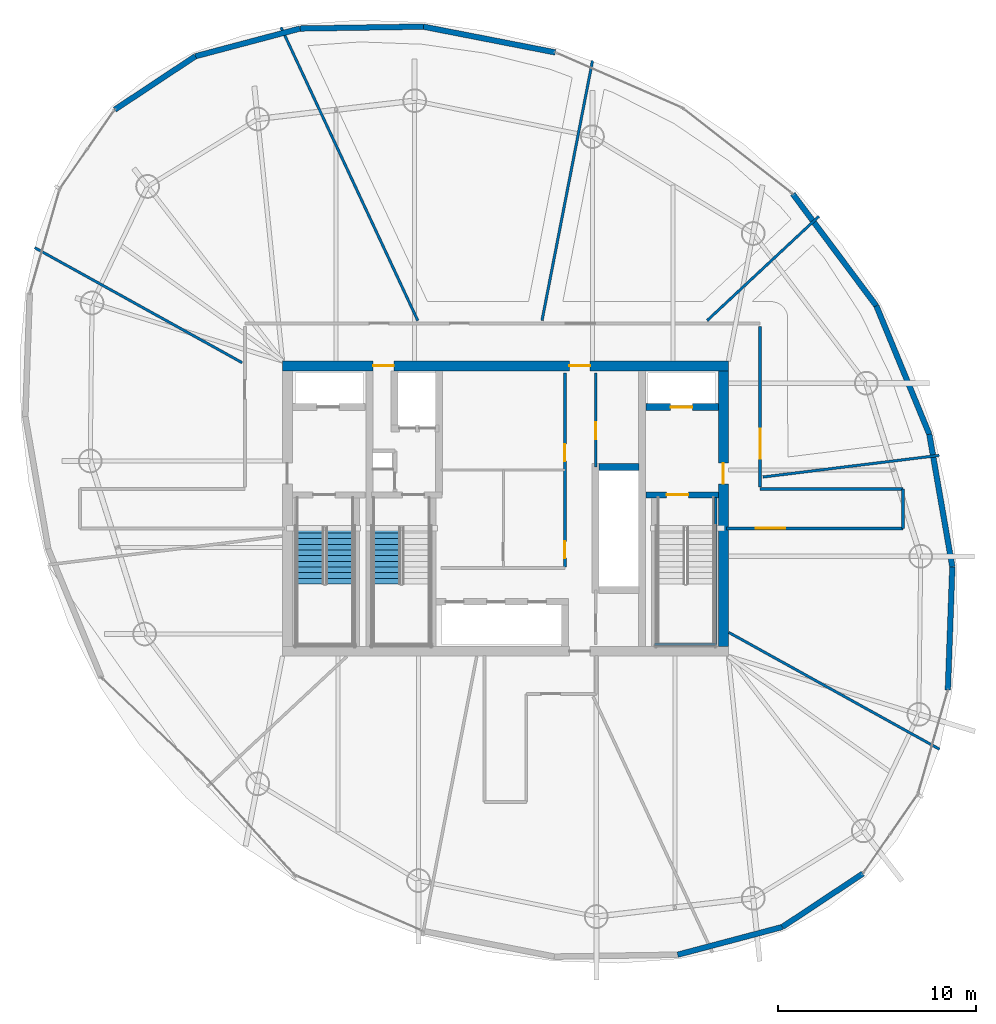
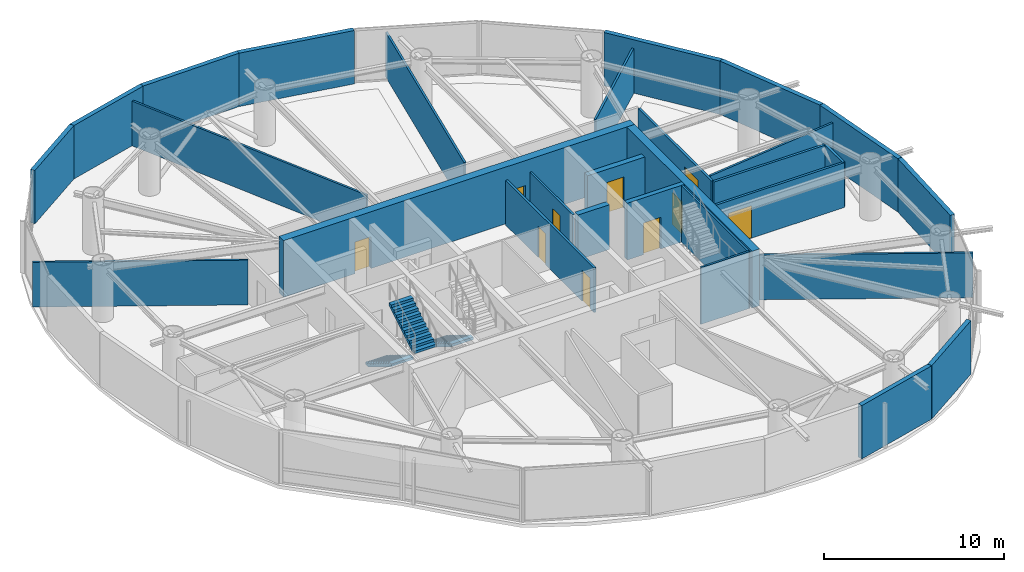
# One storey, part 17 of 22: 29 walls, 10 doors, 3 stair flights, 10 openings, 2 elements without a shape of their own.
"""IFC4 building model written with IfcOpenShell, lengths in metres."""

from ifc_helpers import new_model, si_unit, direction, frame, frame_2d, origin, place, context, subcontext, project, spatial, polyline, rectangle, outline, extrude, material, layer, layer_set, type_object, element, fill, aggregate, save


model = new_model("IFC4")

# Units and contexts
model_context = context("Model", 3, precision=1e-05, world=origin(), true_north=direction((0.0, 1.0)))
body_context = subcontext(model_context, "Body", "Model", "MODEL_VIEW")
ifc_project = project(units=[si_unit("LENGTHUNIT", "METRE"), si_unit("AREAUNIT", "SQUARE_METRE"), si_unit("VOLUMEUNIT", "CUBIC_METRE"), si_unit("PLANEANGLEUNIT", "RADIAN"), si_unit("MASSUNIT", "GRAM", prefix="KILO")], contexts=[model_context])

# Site, building, storey
site_placement = place(None, origin())
site = spatial("IfcSite", under=ifc_project, at=site_placement, CompositionType="ELEMENT")
building_placement = place(site_placement, origin())
building = spatial("IfcBuilding", under=site, at=building_placement, Name="Bramvorn Convention Spire", CompositionType="ELEMENT")
storey_placement = place(building_placement, frame((0.0, 0.0, 213.550048828125)))
storey = spatial("IfcBuildingStorey", under=building, at=storey_placement, Name="L54", CompositionType="ELEMENT", Elevation=213.550048828125)

# Wall, openings, doors
ifc_material_1 = material(Name="Concrete C50/60", Category="concrete")
ifc_layer_1 = layer(ifc_material_1, 0.5)
ifc_layer_set_1 = layer_set([ifc_layer_1], Name="Concrete C50/60 - WL-CORE-500")
wall_type_1 = type_object("IfcWallType", Name="WL-CORE-500", PredefinedType="SHEAR", material=ifc_layer_set_1)
wall_1_placement = place(storey_placement, frame((26.75, 33.199951171875, 0.0), z_axis=(0.0, 0.0, 1.0), x_axis=(1.0, 0.0, 0.0)))
wall_1 = element("IfcWall", 1, at=wall_1_placement, inside=storey, type_object=wall_type_1, Name="L54 North RC core shear wall", PredefinedType="SHEAR", context=body_context, shape_type="SweptSolid", body=[
    extrude(rectangle(XDim=22.5, YDim=0.5, at=frame_2d((11.25, 0.0))), origin(), (0.0, 0.0, 1.0), 3.849853515625),
])
opening_1_placement = place(wall_1_placement, frame((4.570068359375, 0.0, 0.0)))
opening_1 = element("IfcOpeningElement", 2, at=opening_1_placement, cuts=wall_1, Name="Opening DL-105", PredefinedType="OPENING", context=body_context, shape_type="SweptSolid", body=[
    extrude(rectangle(XDim=1.050048828125, YDim=2.14990234375, at=frame_2d((0.52490234375, 1.074951171875))), frame((0.0, 0.260009765625, 0.0), z_axis=(0.0, -1.0, 0.0), x_axis=(1.0, 0.0, 0.0)), (0.0, 0.0, 1.0), 0.52001953125),
])
opening_2_placement = place(wall_1_placement, frame((14.469970703125, 0.0, 0.0)))
opening_2 = element("IfcOpeningElement", 3, at=opening_2_placement, cuts=wall_1, Name="Opening DL-105", PredefinedType="OPENING", context=body_context, shape_type="SweptSolid", body=[
    extrude(rectangle(XDim=1.050048828125, YDim=2.14990234375, at=frame_2d((0.52490234375, 1.074951171875))), frame((0.0, 0.260009765625, 0.0), z_axis=(0.0, -1.0, 0.0), x_axis=(1.0, 0.0, 0.0)), (0.0, 0.0, 1.0), 0.52001953125),
])
ifc_material_2 = material(Name="Smoke-Sealed Fire Lobby Timber-Core Door", Category="wood")
door_type_1 = type_object("IfcDoorType", Name="DR-LOBBY-1050", OperationType="NOTDEFINED", PredefinedType="DOOR", material=ifc_material_2)
door_1_placement = place(opening_1_placement, origin())
door_1 = element("IfcDoor", 4, at=door_1_placement, inside=storey, type_object=door_type_1, Name="L54 Service & Stair ST3 Lobby north corridor door", OperationType="SINGLE_SWING_LEFT", OverallHeight=2.14990234375, OverallWidth=1.050048828125, PredefinedType="DOOR", context=body_context, shape_type="SweptSolid", body=[
    extrude(rectangle(XDim=1.050048828125, YDim=2.14990234375, at=frame_2d((0.52490234375, 1.074951171875))), frame((0.0, 0.02490234375, 0.0), z_axis=(0.0, -1.0, 0.0), x_axis=(1.0, 0.0, 0.0)), (0.0, 0.0, 1.0), 0.050048828125),
])
fill(opening_1, door_1)
door_2_placement = place(opening_2_placement, origin())
door_2 = element("IfcDoor", 5, at=door_2_placement, inside=storey, type_object=door_type_1, Name="L54 North Lift Lobby fire door", OperationType="SINGLE_SWING_LEFT", OverallHeight=2.14990234375, OverallWidth=1.050048828125, PredefinedType="DOOR", context=body_context, shape_type="SweptSolid", body=[
    extrude(rectangle(XDim=1.050048828125, YDim=2.14990234375, at=frame_2d((0.52490234375, 1.074951171875))), frame((0.0, 0.02490234375, 0.0), z_axis=(0.0, -1.0, 0.0), x_axis=(1.0, 0.0, 0.0)), (0.0, 0.0, 1.0), 0.050048828125),
])
fill(opening_2, door_2)

# Wall, opening, door
wall_2_placement = place(storey_placement, frame((49.0, 19.050048828125, 0.0), z_axis=(0.0, 0.0, 1.0), x_axis=(0.0, 1.0, 0.0)))
wall_2 = element("IfcWall", 6, at=wall_2_placement, inside=storey, type_object=wall_type_1, Name="L54 East RC core shear wall", PredefinedType="SHEAR", context=body_context, shape_type="SweptSolid", body=[
    extrude(rectangle(XDim=13.89990234375, YDim=0.5, at=frame_2d((6.949951171875, 0.0))), origin(), (0.0, 0.0, 1.0), 3.849853515625),
])
opening_3_placement = place(wall_2_placement, frame((8.199951171875, 0.0, 0.0)))
opening_3 = element("IfcOpeningElement", 7, at=opening_3_placement, cuts=wall_2, Name="Opening DL-105", PredefinedType="OPENING", context=body_context, shape_type="SweptSolid", body=[
    extrude(rectangle(XDim=1.050048828125, YDim=2.14990234375, at=frame_2d((0.52490234375, 1.074951171875))), frame((0.0, 0.260009765625, 0.0), z_axis=(0.0, -1.0, 0.0), x_axis=(1.0, 0.0, 0.0)), (0.0, 0.0, 1.0), 0.52001953125),
])
door_3_placement = place(opening_3_placement, origin())
door_3 = element("IfcDoor", 8, at=door_3_placement, inside=storey, type_object=door_type_1, Name="L54 East Firefighting Lobby corridor door", OperationType="SINGLE_SWING_LEFT", OverallHeight=2.14990234375, OverallWidth=1.050048828125, PredefinedType="DOOR", context=body_context, shape_type="SweptSolid", body=[
    extrude(rectangle(XDim=1.050048828125, YDim=2.14990234375, at=frame_2d((0.52490234375, 1.074951171875))), frame((0.0, 0.02490234375, 0.0), z_axis=(0.0, -1.0, 0.0), x_axis=(1.0, 0.0, 0.0)), (0.0, 0.0, 1.0), 0.050048828125),
])
fill(opening_3, door_3)

ifc_layer_2 = layer(ifc_material_1, 0.35009765625)
ifc_layer_set_2 = layer_set([ifc_layer_2], Name="Concrete C50/60 - WL-CORE-INT-350")
wall_type_2 = type_object("IfcWallType", Name="WL-CORE-INT-350", PredefinedType="SHEAR", material=ifc_layer_set_2)
wall_3_placement = place(storey_placement, frame((45.080078125, 31.1201171875, 0.0), z_axis=(0.0, 0.0, 1.0), x_axis=(1.0, 0.0, 0.0)))
wall_3 = element("IfcWall", 9, at=wall_3_placement, inside=storey, type_object=wall_type_2, Name="L54 FE2 shaft front wall", PredefinedType="SHEAR", context=body_context, shape_type="SweptSolid", body=[
    extrude(rectangle(XDim=3.669921875, YDim=0.35009765625, at=frame_2d((1.8349609375, 0.0))), origin(), (0.0, 0.0, 1.0), 3.034912109375),
])
opening_4_placement = place(wall_3_placement, frame((1.25, 0.0, 0.0)))
opening_4 = element("IfcOpeningElement", 10, at=opening_4_placement, cuts=wall_3, Name="Opening LD-110", PredefinedType="OPENING", context=body_context, shape_type="SweptSolid", body=[
    extrude(rectangle(XDim=1.10009765625, YDim=2.14990234375, at=frame_2d((0.550048828125, 1.074951171875))), frame((0.0, 0.18505859375, 0.0), z_axis=(0.0, -1.0, 0.0), x_axis=(1.0, 0.0, 0.0)), (0.0, 0.0, 1.0), 0.3701171875),
])
ifc_material_3 = material(Name="Firefighting & Service Lift Sliding Landing Door", Category="steel")
door_type_2 = type_object("IfcDoorType", Name="DR-LIFT-LD-1100", OperationType="NOTDEFINED", PredefinedType="DOOR", material=ifc_material_3)
door_4_placement = place(opening_4_placement, origin())
door_4 = element("IfcDoor", 11, at=door_4_placement, inside=storey, type_object=door_type_2, Name="L54 Lift FE2 Sliding Landing Door", OperationType="SLIDING_TO_LEFT", OverallHeight=2.14990234375, OverallWidth=1.10009765625, PredefinedType="DOOR", context=body_context, shape_type="SweptSolid", body=[
    extrude(rectangle(XDim=1.10009765625, YDim=2.14990234375, at=frame_2d((0.550048828125, 1.074951171875))), frame((0.0, 0.02490234375, 0.0), z_axis=(0.0, -1.0, 0.0), x_axis=(1.0, 0.0, 0.0)), (0.0, 0.0, 1.0), 0.050048828125),
])
fill(opening_4, door_4)

# Walls
wall_4_placement = place(storey_placement, frame((42.719970703125, 28.10009765625, 0.0), z_axis=(0.0, 0.0, 1.0), x_axis=(1.0, 0.0, 0.0)))
element("IfcWall", 12, at=wall_4_placement, inside=storey, type_object=wall_type_2, Name="L54 High-rise lift bank north wall", PredefinedType="SHEAR", context=body_context, shape_type="SweptSolid", body=[
    extrude(rectangle(XDim=2.030029296875, YDim=0.35009765625, at=frame_2d((1.01513671875, 0.0))), origin(), (0.0, 0.0, 1.0), 3.034912109375),
])
ifc_material_4 = material(Name="Precast Concrete C40/50 with Bronze Terracotta Rainscreen", Category="masonry")
ifc_layer_3 = layer(ifc_material_4, 0.300048828125)
ifc_layer_set_3 = layer_set([ifc_layer_3], Name="Precast Concrete C40/50 with Bronze Terracotta Rainscreen - WL-EXT-BRONZE-300")
wall_type_3 = type_object("IfcWallType", Name="WL-EXT-BRONZE-300", PredefinedType="SOLIDWALL", material=ifc_layer_set_3)
wall_5_placement = place(storey_placement, frame((60.552001953125, 23.062255859375, 0.0), z_axis=(0.0, 0.0, 1.0), x_axis=(-0.036269133446, -0.999342058536, 0.0)))
element("IfcWall", 13, at=wall_5_placement, inside=storey, type_object=wall_type_3, Name="L54 expressed bronze Gothic lancet pier wall 03", PredefinedType="SOLIDWALL", context=body_context, shape_type="SweptSolid", body=[
    extrude(rectangle(XDim=6.2265625, YDim=0.280029296875, at=frame_2d((3.11328125, 0.0))), origin(), (0.0, 0.0, 1.0), 3.619873046875),
])
wall_6_placement = place(storey_placement, frame((59.3916015625, 29.746826171875, 0.0), z_axis=(0.0, 0.0, 1.0), x_axis=(0.171035922685, -0.985264793419, 0.0)))
element("IfcWall", 14, at=wall_6_placement, inside=storey, type_object=wall_type_3, Name="L54 expressed bronze Gothic lancet pier wall 04", PredefinedType="SOLIDWALL", context=body_context, shape_type="SweptSolid", body=[
    extrude(rectangle(XDim=6.784423828125, YDim=0.280029296875, at=frame_2d((3.39208984375, 0.0))), origin(), (0.0, 0.0, 1.0), 3.619873046875),
])
wall_7_placement = place(storey_placement, frame((56.71630859375, 36.234375, 0.0), z_axis=(0.0, 0.0, 1.0), x_axis=(0.381230949434, -0.924479833849, 0.0)))
element("IfcWall", 15, at=wall_7_placement, inside=storey, type_object=wall_type_3, Name="L54 expressed bronze Gothic lancet pier wall 05", PredefinedType="SOLIDWALL", context=body_context, shape_type="SweptSolid", body=[
    extrude(rectangle(XDim=7.017578125, YDim=0.280029296875, at=frame_2d((3.5087890625, 0.0))), origin(), (0.0, 0.0, 1.0), 3.619873046875),
])
wall_8_placement = place(storey_placement, frame((52.50048828125, 41.87939453125, 0.0), z_axis=(0.0, 0.0, 1.0), x_axis=(0.598368729924, -0.801220857847, 0.0)))
element("IfcWall", 16, at=wall_8_placement, inside=storey, type_object=wall_type_3, Name="L54 expressed bronze Gothic lancet pier wall 06", PredefinedType="SOLIDWALL", context=body_context, shape_type="SweptSolid", body=[
    extrude(rectangle(XDim=7.04541015625, YDim=0.280029296875, at=frame_2d((3.522705078125, 0.0))), origin(), (0.0, 0.0, 1.0), 3.619873046875),
])
wall_9_placement = place(storey_placement, frame((33.85595703125, 50.3232421875, 0.0), z_axis=(0.0, 0.0, 1.0), x_axis=(0.981469964999, -0.191616042662, 0.0)))
element("IfcWall", 17, at=wall_9_placement, inside=storey, type_object=wall_type_3, Name="L54 expressed bronze Gothic lancet pier wall 09", PredefinedType="SOLIDWALL", context=body_context, shape_type="SweptSolid", body=[
    extrude(rectangle(XDim=6.78466796875, YDim=0.280029296875, at=frame_2d((3.392333984375, 0.0))), origin(), (0.0, 0.0, 1.0), 3.619873046875),
])
wall_10_placement = place(storey_placement, frame((27.63037109375, 50.227783203125, 0.0), z_axis=(0.0, 0.0, 1.0), x_axis=(0.999882465169, 0.015331531133, 0.0)))
element("IfcWall", 18, at=wall_10_placement, inside=storey, type_object=wall_type_3, Name="L54 expressed bronze Gothic lancet pier wall 10", PredefinedType="SOLIDWALL", context=body_context, shape_type="SweptSolid", body=[
    extrude(rectangle(XDim=6.226318359375, YDim=0.280029296875, at=frame_2d((3.11328125, 0.0))), origin(), (0.0, 0.0, 1.0), 3.619873046875),
])
wall_11_placement = place(storey_placement, frame((22.34814453125, 48.82763671875, 0.0), z_axis=(0.0, 0.0, 1.0), x_axis=(0.966618709205, 0.256219185491, 0.0)))
element("IfcWall", 19, at=wall_11_placement, inside=storey, type_object=wall_type_3, Name="L54 expressed bronze Gothic lancet pier wall 11", PredefinedType="SOLIDWALL", context=body_context, shape_type="SweptSolid", body=[
    extrude(rectangle(XDim=5.464599609375, YDim=0.280029296875, at=frame_2d((2.732421875, 0.0))), origin(), (0.0, 0.0, 1.0), 3.619873046875),
])
wall_12_placement = place(storey_placement, frame((18.283447265625, 46.1337890625, 0.0), z_axis=(0.0, 0.0, 1.0), x_axis=(0.833556909775, 0.55243359616, 0.0)))
element("IfcWall", 20, at=wall_12_placement, inside=storey, type_object=wall_type_3, Name="L54 expressed bronze Gothic lancet pier wall 12", PredefinedType="SOLIDWALL", context=body_context, shape_type="SweptSolid", body=[
    extrude(rectangle(XDim=4.876220703125, YDim=0.280029296875, at=frame_2d((2.43798828125, 0.0))), origin(), (0.0, 0.0, 1.0), 3.619873046875),
])
wall_13_placement = place(storey_placement, frame((51.97265625, 4.88720703125, 0.0), z_axis=(0.0, 0.0, 1.0), x_axis=(-0.966618709205, -0.256219185491, 0.0)))
element("IfcWall", 21, at=wall_13_placement, inside=storey, type_object=wall_type_3, Name="L54 expressed bronze Gothic lancet pier wall 23", PredefinedType="SOLIDWALL", context=body_context, shape_type="SweptSolid", body=[
    extrude(rectangle(XDim=5.464599609375, YDim=0.280029296875, at=frame_2d((2.732421875, 0.0))), origin(), (0.0, 0.0, 1.0), 3.619873046875),
])
wall_14_placement = place(storey_placement, frame((56.037353515625, 7.580810546875, 0.0), z_axis=(0.0, 0.0, 1.0), x_axis=(-0.833579964544, -0.552398807665, 0.0)))
element("IfcWall", 22, at=wall_14_placement, inside=storey, type_object=wall_type_3, Name="L54 expressed bronze Gothic lancet pier wall 24", PredefinedType="SOLIDWALL", context=body_context, shape_type="SweptSolid", body=[
    extrude(rectangle(XDim=4.876220703125, YDim=0.280029296875, at=frame_2d((2.43798828125, 0.0))), origin(), (0.0, 0.0, 1.0), 3.619873046875),
])

# Wall, opening, door
ifc_material_5 = material(Name="Metal-Stud Demountable Office Partition", Category="gypsum")
ifc_layer_4 = layer(ifc_material_5, 0.1298828125)
ifc_layer_set_4 = layer_set([ifc_layer_4], Name="Metal-Stud Demountable Office Partition - WL-PART-130")
wall_type_4 = type_object("IfcWallType", Name="WL-PART-130", PredefinedType="PARTITIONING", material=ifc_layer_set_4)
wall_15_placement = place(storey_placement, frame((42.550048828125, 28.10009765625, 0.0), z_axis=(0.0, 0.0, 1.0), x_axis=(0.0, 1.0, 0.0)))
wall_15 = element("IfcWall", 23, at=wall_15_placement, inside=storey, type_object=wall_type_4, Name="L54 KA NE IDF wall", PredefinedType="PARTITIONING", context=body_context, shape_type="SweptSolid", body=[
    extrude(rectangle(XDim=4.75, YDim=0.1298828125, at=frame_2d((2.375, 0.0))), origin(), (0.0, 0.0, 1.0), 3.034912109375),
])
opening_5_placement = place(wall_15_placement, frame((1.39990234375, 0.0, 0.0)))
opening_5 = element("IfcOpeningElement", 24, at=opening_5_placement, cuts=wall_15, Name="Opening DC-085", PredefinedType="OPENING", context=body_context, shape_type="SweptSolid", body=[
    extrude(rectangle(XDim=0.85009765625, YDim=2.10009765625, at=frame_2d((0.425048828125, 1.050048828125))), frame((0.0, 0.074951171875, 0.0), z_axis=(0.0, -1.0, 0.0), x_axis=(1.0, 0.0, 0.0)), (0.0, 0.0, 1.0), 0.14990234375),
])
ifc_material_6 = material(Name="Fire-Rated Core Washroom & IDF Door", Category="wood")
door_type_3 = type_object("IfcDoorType", Name="DR-CORE-850", OperationType="NOTDEFINED", PredefinedType="DOOR", material=ifc_material_6)
door_5_placement = place(opening_5_placement, origin())
door_5 = element("IfcDoor", 25, at=door_5_placement, inside=storey, type_object=door_type_3, Name="L54 Core IDF & BMS Room door", OperationType="SINGLE_SWING_LEFT", OverallHeight=2.10009765625, OverallWidth=0.85009765625, PredefinedType="DOOR", context=body_context, shape_type="SweptSolid", body=[
    extrude(rectangle(XDim=0.85009765625, YDim=2.10009765625, at=frame_2d((0.425048828125, 1.050048828125))), frame((0.0, 0.02490234375, 0.0), z_axis=(0.0, -1.0, 0.0), x_axis=(1.0, 0.0, 0.0)), (0.0, 0.0, 1.0), 0.050048828125),
])
fill(opening_5, door_5)

# Walls
wall_16_placement = place(storey_placement, frame((50.989990234375, 27.594970703125, 0.0), z_axis=(0.0, 0.0, 1.0), x_axis=(0.992545996706, 0.121870605244, 0.0)))
element("IfcWall", 26, at=wall_16_placement, inside=storey, type_object=wall_type_4, Name="L54 Tenant suite partition 1", PredefinedType="PARTITIONING", context=body_context, shape_type="SweptSolid", body=[
    extrude(rectangle(XDim=8.970703125, YDim=0.1298828125, at=frame_2d((4.4853515625, 0.0))), origin(), (0.0, 0.0, 1.0), 3.034912109375),
])
wall_17_placement = place(storey_placement, frame((48.1767578125, 35.489990234375, 0.0), z_axis=(0.0, 0.0, 1.0), x_axis=(0.731343539184, 0.682009257777, 0.0)))
element("IfcWall", 27, at=wall_17_placement, inside=storey, type_object=wall_type_4, Name="L54 Tenant suite partition 2", PredefinedType="PARTITIONING", context=body_context, shape_type="SweptSolid", body=[
    extrude(rectangle(XDim=7.715087890625, YDim=0.1298828125, at=frame_2d((3.857421875, 0.0))), origin(), (0.0, 0.0, 1.0), 3.034912109375),
])
wall_18_placement = place(storey_placement, frame((39.8447265625, 35.489990234375, 0.0), z_axis=(0.0, 0.0, 1.0), x_axis=(0.19080412757, 0.981628129641, 0.0)))
element("IfcWall", 28, at=wall_18_placement, inside=storey, type_object=wall_type_4, Name="L54 Tenant suite partition 3", PredefinedType="PARTITIONING", context=body_context, shape_type="SweptSolid", body=[
    extrude(rectangle(XDim=13.3623046875, YDim=0.1298828125, at=frame_2d((6.68115234375, 0.0))), origin(), (0.0, 0.0, 1.0), 3.034912109375),
])
wall_19_placement = place(storey_placement, frame((33.57470703125, 35.489990234375, 0.0), z_axis=(0.0, 0.0, 1.0), x_axis=(-0.422608843955, 0.906312178563, 0.0)))
element("IfcWall", 29, at=wall_19_placement, inside=storey, type_object=wall_type_4, Name="L54 Tenant suite partition 4", PredefinedType="PARTITIONING", context=body_context, shape_type="SweptSolid", body=[
    extrude(rectangle(XDim=16.33203125, YDim=0.1298828125, at=frame_2d((8.166015625, 0.0))), origin(), (0.0, 0.0, 1.0), 3.034912109375),
])
wall_20_placement = place(storey_placement, frame((24.7099609375, 33.36669921875, 0.0), z_axis=(0.0, 0.0, 1.0), x_axis=(-0.874613881737, 0.484820129402, 0.0)))
element("IfcWall", 30, at=wall_20_placement, inside=storey, type_object=wall_type_4, Name="L54 Tenant suite partition 5", PredefinedType="PARTITIONING", context=body_context, shape_type="SweptSolid", body=[
    extrude(rectangle(XDim=11.9697265625, YDim=0.1298828125, at=frame_2d((5.98486328125, 0.0))), origin(), (0.0, 0.0, 1.0), 3.034912109375),
])
wall_21_placement = place(storey_placement, frame((49.27001953125, 19.7529296875, 0.0), z_axis=(0.0, 0.0, 1.0), x_axis=(0.874618736084, -0.484811372072, 0.0)))
element("IfcWall", 31, at=wall_21_placement, inside=storey, type_object=wall_type_4, Name="L54 Tenant suite partition 10", PredefinedType="PARTITIONING", context=body_context, shape_type="SweptSolid", body=[
    extrude(rectangle(XDim=12.16796875, YDim=0.1298828125, at=frame_2d((6.083984375, 0.0))), origin(), (0.0, 0.0, 1.0), 3.034912109375),
])

# Wall, openings, doors
ifc_material_7 = material(Name="Acoustic Metal-Stud Tenant/Corridor Partition", Category="gypsum")
ifc_layer_5 = layer(ifc_material_7, 0.14990234375)
ifc_layer_set_5 = layer_set([ifc_layer_5], Name="Acoustic Metal-Stud Tenant/Corridor Partition - WL-PART-150")
wall_type_5 = type_object("IfcWallType", Name="WL-PART-150", PredefinedType="PARTITIONING", material=ifc_layer_set_5)
wall_22_placement = place(storey_placement, frame((41.0, 23.050048828125, 0.0), z_axis=(0.0, 0.0, 1.0), x_axis=(0.0, 1.0, 0.0)))
wall_22 = element("IfcWall", 32, at=wall_22_placement, inside=storey, type_object=wall_type_5, Name="L54 KA east core wall", PredefinedType="PARTITIONING", context=body_context, shape_type="SweptSolid", body=[
    extrude(rectangle(XDim=9.800048828125, YDim=0.14990234375, at=frame_2d((4.89990234375, 0.0))), origin(), (0.0, 0.0, 1.0), 3.034912109375),
])
opening_6_placement = place(wall_22_placement, frame((5.35009765625, 0.0, 0.0)))
opening_6 = element("IfcOpeningElement", 33, at=opening_6_placement, cuts=wall_22, Name="Opening DC-085", PredefinedType="OPENING", context=body_context, shape_type="SweptSolid", body=[
    extrude(rectangle(XDim=0.85009765625, YDim=2.10009765625, at=frame_2d((0.425048828125, 1.050048828125))), frame((0.0, 0.0849609375, 0.0), z_axis=(0.0, -1.0, 0.0), x_axis=(1.0, 0.0, 0.0)), (0.0, 0.0, 1.0), 0.169921875),
])
opening_7_placement = place(wall_22_placement, frame((0.449951171875, 0.0, 0.0)))
opening_7 = element("IfcOpeningElement", 34, at=opening_7_placement, cuts=wall_22, Name="Opening DC-085", PredefinedType="OPENING", context=body_context, shape_type="SweptSolid", body=[
    extrude(rectangle(XDim=0.85009765625, YDim=2.10009765625, at=frame_2d((0.425048828125, 1.050048828125))), frame((0.0, 0.0849609375, 0.0), z_axis=(0.0, -1.0, 0.0), x_axis=(1.0, 0.0, 0.0)), (0.0, 0.0, 1.0), 0.169921875),
])
door_6_placement = place(opening_6_placement, origin())
door_6 = element("IfcDoor", 35, at=door_6_placement, inside=storey, type_object=door_type_3, Name="L54 Core Linen & Equipment Store door", OperationType="SINGLE_SWING_LEFT", OverallHeight=2.10009765625, OverallWidth=0.85009765625, PredefinedType="DOOR", context=body_context, shape_type="SweptSolid", body=[
    extrude(rectangle(XDim=0.85009765625, YDim=2.10009765625, at=frame_2d((0.425048828125, 1.050048828125))), frame((0.0, 0.02490234375, 0.0), z_axis=(0.0, -1.0, 0.0), x_axis=(1.0, 0.0, 0.0)), (0.0, 0.0, 1.0), 0.050048828125),
])
fill(opening_6, door_6)
door_7_placement = place(opening_7_placement, origin())
door_7 = element("IfcDoor", 36, at=door_7_placement, inside=storey, type_object=door_type_3, Name="L54 Accessible Core Restroom door", OperationType="SINGLE_SWING_LEFT", OverallHeight=2.10009765625, OverallWidth=0.85009765625, PredefinedType="DOOR", context=body_context, shape_type="SweptSolid", body=[
    extrude(rectangle(XDim=0.85009765625, YDim=2.10009765625, at=frame_2d((0.425048828125, 1.050048828125))), frame((0.0, 0.02490234375, 0.0), z_axis=(0.0, -1.0, 0.0), x_axis=(1.0, 0.0, 0.0)), (0.0, 0.0, 1.0), 0.050048828125),
])
fill(opening_7, door_7)

# Wall, opening, door
wall_23_placement = place(storey_placement, frame((50.85009765625, 27.080078125, 0.0), z_axis=(0.0, 0.0, 1.0), x_axis=(0.0, 1.0, 0.0)))
wall_23 = element("IfcWall", 37, at=wall_23_placement, inside=storey, type_object=wall_type_5, Name="L54 NE gallery cheek", PredefinedType="PARTITIONING", context=body_context, shape_type="SweptSolid", body=[
    extrude(rectangle(XDim=8.119873046875, YDim=0.14990234375, at=frame_2d((4.06005859375, 0.0))), origin(), (0.0, 0.0, 1.0), 3.034912109375),
])
opening_8_placement = place(wall_23_placement, frame((1.44189453125, 0.0, 0.0)))
opening_8 = element("IfcOpeningElement", 38, at=opening_8_placement, cuts=wall_23, Name="Opening DC-150", PredefinedType="OPENING", context=body_context, shape_type="SweptSolid", body=[
    extrude(rectangle(XDim=1.5, YDim=2.199951171875, at=frame_2d((0.75, 1.10009765625))), frame((0.0, 0.0849609375, 0.0), z_axis=(0.0, -1.0, 0.0), x_axis=(1.0, 0.0, 0.0)), (0.0, 0.0, 1.0), 0.169921875),
])
ifc_material_8 = material(Name="Double-Leaf Smoke-Control Corridor Door", Category="wood")
door_type_4 = type_object("IfcDoorType", Name="DR-COR-1500", OperationType="NOTDEFINED", PredefinedType="DOOR", material=ifc_material_8)
door_8_placement = place(opening_8_placement, origin())
door_8 = element("IfcDoor", 39, at=door_8_placement, inside=storey, type_object=door_type_4, Name="L54 Design Office Studio A 1 door", OperationType="DOUBLE_DOOR_SINGLE_SWING", OverallHeight=2.199951171875, OverallWidth=1.5, PredefinedType="DOOR", context=body_context, shape_type="SweptSolid", body=[
    extrude(rectangle(XDim=1.5, YDim=2.199951171875, at=frame_2d((0.75, 1.10009765625))), frame((0.0, 0.02490234375, 0.0), z_axis=(0.0, -1.0, 0.0), x_axis=(1.0, 0.0, 0.0)), (0.0, 0.0, 1.0), 0.050048828125),
])
fill(opening_8, door_8)

# Wall
wall_24_placement = place(storey_placement, frame((50.85009765625, 27.0, 0.0), z_axis=(0.0, 0.0, 1.0), x_axis=(1.0, 0.0, 0.0)))
element("IfcWall", 40, at=wall_24_placement, inside=storey, type_object=wall_type_5, Name="L54 East wing spine north wall", PredefinedType="PARTITIONING", context=body_context, shape_type="SweptSolid", body=[
    extrude(rectangle(XDim=7.213623046875, YDim=0.14990234375, at=frame_2d((3.60693359375, 0.0))), origin(), (0.0, 0.0, 1.0), 3.034912109375),
])

# Wall, opening, door
wall_25_placement = place(storey_placement, frame((49.14990234375, 25.0, 0.0), z_axis=(0.0, 0.0, 1.0), x_axis=(1.0, 0.0, 0.0)))
wall_25 = element("IfcWall", 41, at=wall_25_placement, inside=storey, type_object=wall_type_5, Name="L54 East wing spine south wall", PredefinedType="PARTITIONING", context=body_context, shape_type="SweptSolid", body=[
    extrude(rectangle(XDim=8.913818359375, YDim=0.14990234375, at=frame_2d((4.45703125, 0.0))), origin(), (0.0, 0.0, 1.0), 3.034912109375),
])
opening_9_placement = place(wall_25_placement, frame((1.478515625, 0.0, 0.0)))
opening_9 = element("IfcOpeningElement", 42, at=opening_9_placement, cuts=wall_25, Name="Opening DC-150", PredefinedType="OPENING", context=body_context, shape_type="SweptSolid", body=[
    extrude(rectangle(XDim=1.5, YDim=2.199951171875, at=frame_2d((0.75, 1.10009765625))), frame((0.0, 0.0849609375, 0.0), z_axis=(0.0, -1.0, 0.0), x_axis=(1.0, 0.0, 0.0)), (0.0, 0.0, 1.0), 0.169921875),
])
door_9_placement = place(opening_9_placement, origin())
door_9 = element("IfcDoor", 43, at=door_9_placement, inside=storey, type_object=door_type_4, Name="L54 Design Office Studio B 10 door", OperationType="DOUBLE_DOOR_SINGLE_SWING", OverallHeight=2.199951171875, OverallWidth=1.5, PredefinedType="DOOR", context=body_context, shape_type="SweptSolid", body=[
    extrude(rectangle(XDim=1.5, YDim=2.199951171875, at=frame_2d((0.75, 1.10009765625))), frame((0.0, 0.02490234375, 0.0), z_axis=(0.0, -1.0, 0.0), x_axis=(1.0, 0.0, 0.0)), (0.0, 0.0, 1.0), 0.050048828125),
])
fill(opening_9, door_9)

# Wall
wall_26_placement = place(storey_placement, frame((58.063720703125, 25.0, 0.0), z_axis=(0.0, 0.0, 1.0), x_axis=(0.0, 1.0, 0.0)))
element("IfcWall", 44, at=wall_26_placement, inside=storey, type_object=wall_type_5, Name="L54 East wing spine end wall", PredefinedType="PARTITIONING", context=body_context, shape_type="SweptSolid", body=[
    extrude(rectangle(XDim=2.0, YDim=0.14990234375, at=frame_2d((1.0, 0.0))), origin(), (0.0, 0.0, 1.0), 3.034912109375),
])

# Wall, opening, door
ifc_layer_6 = layer(ifc_material_1, 0.300048828125)
ifc_layer_set_6 = layer_set([ifc_layer_6], Name="Concrete C50/60 - WL-POD-STAIR-300")
wall_type_6 = type_object("IfcWallType", Name="WL-POD-STAIR-300", PredefinedType="SHEAR", material=ifc_layer_set_6)
wall_27_placement = place(storey_placement, frame((45.080078125, 26.68994140625, 0.0), z_axis=(0.0, 0.0, 1.0), x_axis=(1.0, 0.0, 0.0)))
wall_27 = element("IfcWall", 45, at=wall_27_placement, inside=storey, type_object=wall_type_6, Name="L54 ST2 north fire wall", PredefinedType="SHEAR", context=body_context, shape_type="SweptSolid", body=[
    extrude(rectangle(XDim=3.669921875, YDim=0.300048828125, at=frame_2d((1.8349609375, 0.0))), origin(), (0.0, 0.0, 1.0), 3.849853515625),
])
opening_10_placement = place(wall_27_placement, frame((1.050048828125, 0.0, 0.0)))
opening_10 = element("IfcOpeningElement", 46, at=opening_10_placement, cuts=wall_27, Name="Opening DS-110", PredefinedType="OPENING", context=body_context, shape_type="SweptSolid", body=[
    extrude(rectangle(XDim=1.10009765625, YDim=2.14990234375, at=frame_2d((0.550048828125, 1.074951171875))), frame((0.0, 0.159912109375, 0.0), z_axis=(0.0, -1.0, 0.0), x_axis=(1.0, 0.0, 0.0)), (0.0, 0.0, 1.0), 0.320068359375),
])
ifc_material_9 = material(Name="Fire-Rated Hollow Steel Stairwell Door", Category="steel")
door_type_5 = type_object("IfcDoorType", Name="DR-STAIR-1100", OperationType="NOTDEFINED", PredefinedType="DOOR", material=ifc_material_9)
door_10_placement = place(opening_10_placement, origin())
door_10 = element("IfcDoor", 47, at=door_10_placement, inside=storey, type_object=door_type_5, Name="L54 Stair ST2 fire door", OperationType="SINGLE_SWING_RIGHT", OverallHeight=2.14990234375, OverallWidth=1.10009765625, PredefinedType="DOOR", context=body_context, shape_type="SweptSolid", body=[
    extrude(rectangle(XDim=1.10009765625, YDim=2.14990234375, at=frame_2d((0.550048828125, 1.074951171875))), frame((0.0, 0.02490234375, 0.0), z_axis=(0.0, -1.0, 0.0), x_axis=(1.0, 0.0, 0.0)), (0.0, 0.0, 1.0), 0.050048828125),
])
fill(opening_10, door_10)

# Walls
ifc_layer_7 = layer(ifc_material_1, 0.1201171875)
ifc_layer_set_7 = layer_set([ifc_layer_7], Name="Concrete C50/60 - WL-STAIR-RC-120")
wall_type_7 = type_object("IfcWallType", Name="WL-STAIR-RC-120", PredefinedType="SHEAR", material=ifc_layer_set_7)
wall_28_placement = place(storey_placement, frame((48.60498046875, 19.10009765625, 0.0), z_axis=(0.0, 0.0, 1.0), x_axis=(0.0, 1.0, 0.0)))
element("IfcWall", 48, at=wall_28_placement, inside=storey, type_object=wall_type_7, Name="L54 ST2 east bearing shear wall", PredefinedType="SHEAR", context=body_context, shape_type="SweptSolid", body=[
    extrude(rectangle(XDim=7.449951171875, YDim=0.1201171875, at=frame_2d((3.72509765625, 0.0))), origin(), (0.0, 0.0, 1.0), 3.849853515625),
])
wall_29_placement = place(storey_placement, frame((45.510009765625, 19.159912109375, 0.0), z_axis=(0.0, 0.0, 1.0), x_axis=(1.0, 0.0, 0.0)))
element("IfcWall", 49, at=wall_29_placement, inside=storey, type_object=wall_type_7, Name="L54 ST2 south bearing shear wall", PredefinedType="SHEAR", context=body_context, shape_type="SweptSolid", body=[
    extrude(rectangle(XDim=3.094970703125, YDim=0.1201171875, at=frame_2d((1.54736328125, 0.0))), origin(), (0.0, 0.0, 1.0), 3.849853515625),
])

# Stair, stair flights
ifc_material_10 = material(Name="Concrete C40/50 Precast Stair", Category="concrete")
stair_type = type_object("IfcStairType", Name="ST-TOWER-1550", PredefinedType="HALF_TURN_STAIR", material=ifc_material_10)
stair_1_placement = place(storey_placement, origin())
stair_1 = element("IfcStair", 50, at=stair_1_placement, inside=storey, type_object=stair_type, Name="L54 Protected Exit Stair ST1", PredefinedType="HALF_TURN_STAIR")
ifc_material_11 = material(Name="Concrete C40/50 Precast Stair Flight", Category="concrete")
stair_flight_type = type_object("IfcStairFlightType", Name="STF-TOWER-1550", PredefinedType="STRAIGHT", material=ifc_material_11)
stair_flight_1_placement = place(storey_placement, frame((28.155029296875, 25.050048828125, 0.0), z_axis=(0.0, 0.0, 1.0), x_axis=(0.0, -1.0, 0.0)))
stair_flight_1 = element("IfcStairFlight", 51, at=stair_flight_1_placement, type_object=stair_flight_type, Name="ST1 flight 1", NumberOfRisers=11, NumberOfTreads=10, PredefinedType="STRAIGHT", RiserHeight=0.175, TreadLength=0.285, context=body_context, shape_type="SweptSolid", body=[
    extrude(outline(polyline([(0.0, 0.0), (0.0, 0.175048828125), (0.284912109375, 0.175048828125), (0.284912109375, 0.35009765625), (0.570068359375, 0.35009765625), (0.570068359375, 0.52490234375), (0.85498046875, 0.52490234375), (0.85498046875, 0.699951171875), (1.139892578125, 0.699951171875), (1.139892578125, 0.875), (1.425048828125, 0.875), (1.425048828125, 1.050048828125), (1.7099609375, 1.050048828125), (1.7099609375, 1.22509765625), (1.9951171875, 1.22509765625), (1.9951171875, 1.39990234375), (2.280029296875, 1.39990234375), (2.280029296875, 1.574951171875), (2.56494140625, 1.574951171875), (2.56494140625, 1.75), (2.85009765625, 1.75), (2.85009765625, 1.925048828125), (2.85009765625, 1.573974609375), (0.286376953125, 0.0), (0.0, 0.0)])), frame((0.0, 0.705078125, 0.0), z_axis=(0.0, -1.0, 0.0), x_axis=(1.0, 0.0, 0.0)), (0.0, 0.0, 1.0), 1.409912109375),
])
stair_flight_2_placement = place(storey_placement, frame((29.64501953125, 22.199951171875, 1.925048828125), z_axis=(0.0, 0.0, 1.0), x_axis=(0.0, 1.0, 0.0)))
stair_flight_2 = element("IfcStairFlight", 52, at=stair_flight_2_placement, type_object=stair_flight_type, Name="ST1 flight 2", NumberOfRisers=11, NumberOfTreads=10, PredefinedType="STRAIGHT", RiserHeight=0.175, TreadLength=0.285, context=body_context, shape_type="SweptSolid", body=[
    extrude(outline(polyline([(0.0, 0.0), (0.0, 0.175048828125), (0.284912109375, 0.175048828125), (0.284912109375, 0.35009765625), (0.570068359375, 0.35009765625), (0.570068359375, 0.52490234375), (0.85498046875, 0.52490234375), (0.85498046875, 0.699951171875), (1.139892578125, 0.699951171875), (1.139892578125, 0.875), (1.425048828125, 0.875), (1.425048828125, 1.050048828125), (1.7099609375, 1.050048828125), (1.7099609375, 1.22509765625), (1.9951171875, 1.22509765625), (1.9951171875, 1.39990234375), (2.280029296875, 1.39990234375), (2.280029296875, 1.574951171875), (2.56494140625, 1.574951171875), (2.56494140625, 1.75), (2.85009765625, 1.75), (2.85009765625, 1.925048828125), (2.85009765625, 1.573974609375), (0.286376953125, 0.0), (0.0, 0.0)])), frame((0.0, 0.705078125, 0.0), z_axis=(0.0, -1.0, 0.0), x_axis=(1.0, 0.0, 0.0)), (0.0, 0.0, 1.0), 1.409912109375),
])
aggregate(stair_1, [stair_flight_1, stair_flight_2])

# Stair, stair flight
stair_2_placement = place(storey_placement, origin())
stair_2 = element("IfcStair", 53, at=stair_2_placement, inside=storey, type_object=stair_type, Name="L54 Protected Exit Stair ST3", PredefinedType="HALF_TURN_STAIR")
stair_flight_3_placement = place(storey_placement, frame((32.0048828125, 25.050048828125, 0.0), z_axis=(0.0, 0.0, 1.0), x_axis=(0.0, -1.0, 0.0)))
stair_flight_3 = element("IfcStairFlight", 54, at=stair_flight_3_placement, type_object=stair_flight_type, Name="ST3 flight 1", NumberOfRisers=11, NumberOfTreads=10, PredefinedType="STRAIGHT", RiserHeight=0.175, TreadLength=0.285, context=body_context, shape_type="SweptSolid", body=[
    extrude(outline(polyline([(0.0, 0.0), (0.0, 0.175048828125), (0.284912109375, 0.175048828125), (0.284912109375, 0.35009765625), (0.570068359375, 0.35009765625), (0.570068359375, 0.52490234375), (0.85498046875, 0.52490234375), (0.85498046875, 0.699951171875), (1.139892578125, 0.699951171875), (1.139892578125, 0.875), (1.425048828125, 0.875), (1.425048828125, 1.050048828125), (1.7099609375, 1.050048828125), (1.7099609375, 1.22509765625), (1.9951171875, 1.22509765625), (1.9951171875, 1.39990234375), (2.280029296875, 1.39990234375), (2.280029296875, 1.574951171875), (2.56494140625, 1.574951171875), (2.56494140625, 1.75), (2.85009765625, 1.75), (2.85009765625, 1.925048828125), (2.85009765625, 1.573974609375), (0.286376953125, 0.0), (0.0, 0.0)])), frame((0.0, 0.705078125, 0.0), z_axis=(0.0, -1.0, 0.0), x_axis=(1.0, 0.0, 0.0)), (0.0, 0.0, 1.0), 1.409912109375),
])
aggregate(stair_2, [stair_flight_3])

save(model, "model.ifc")
